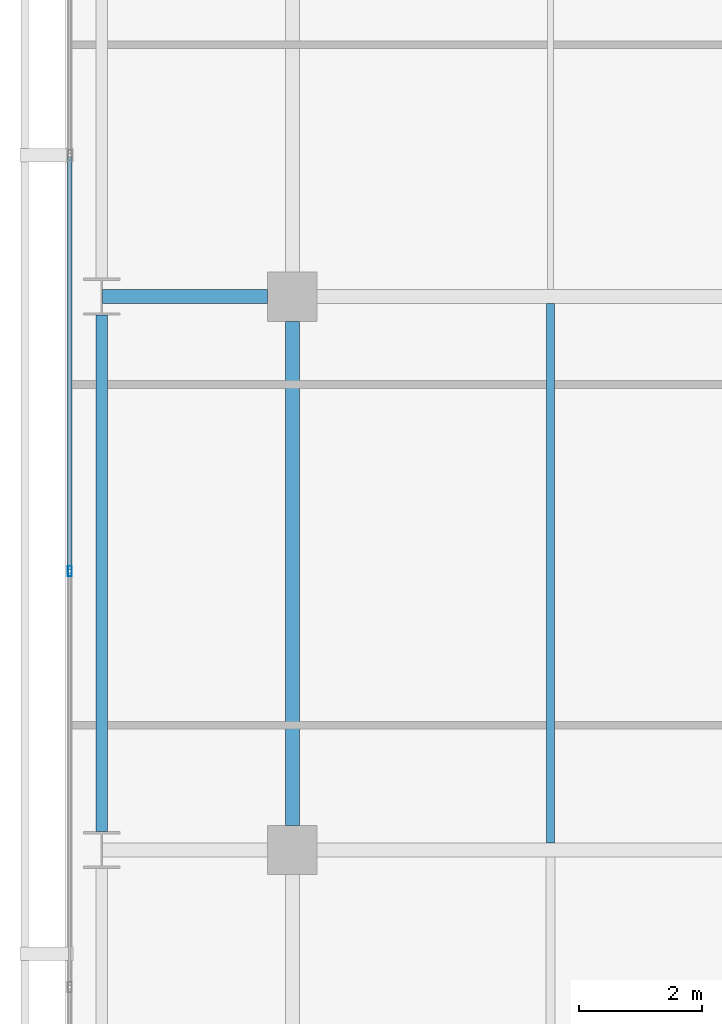
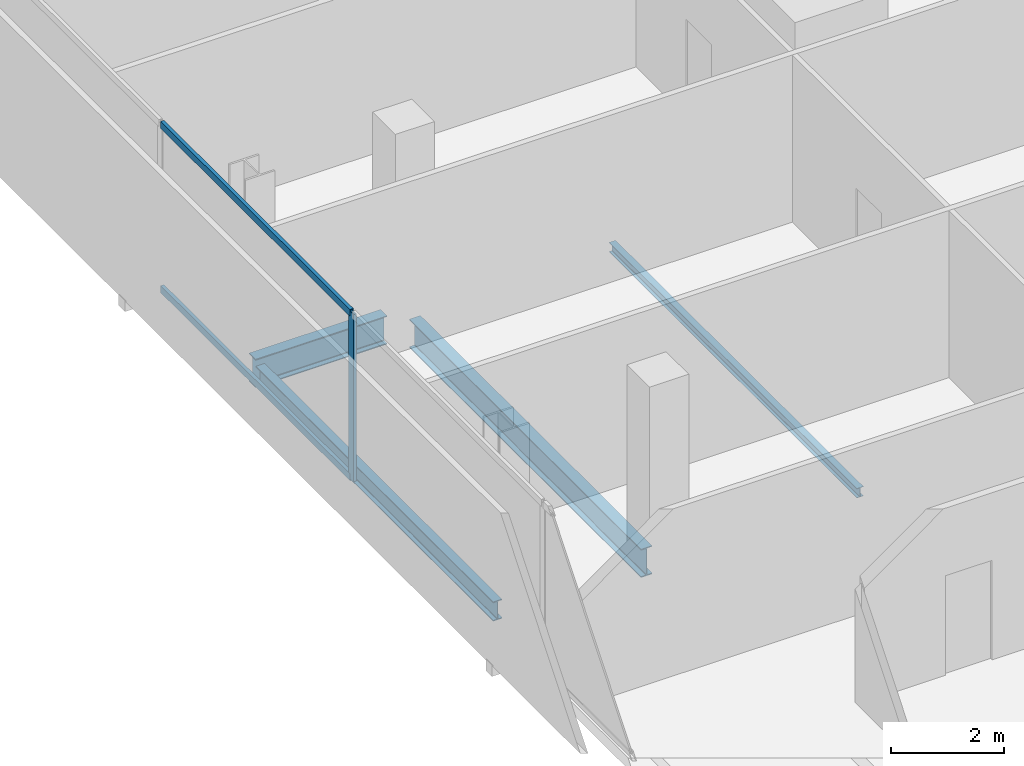
# One storey, part 8 of 33: 4 beams, 3 members, 1 element without a shape of its own.
"""IFC4 building model written with IfcOpenShell, lengths in metres."""

from ifc_helpers import new_model, si_unit, direction, frame, origin, origin_2d, place, context, subcontext, project, spatial, hollow_rectangle, i_section, extrude, material, layer, layer_set, material_profile, profile_set, type_object, element, aggregate, save


model = new_model("IFC4")

# Units and contexts
model_context = context("Model", 3, precision=1e-05, world=origin(), true_north=direction((0.0, 1.0)))
body_context = subcontext(model_context, "Body", "Model", "MODEL_VIEW")
ifc_project = project(units=[si_unit("LENGTHUNIT", "METRE"), si_unit("AREAUNIT", "SQUARE_METRE"), si_unit("VOLUMEUNIT", "CUBIC_METRE"), si_unit("PLANEANGLEUNIT", "RADIAN"), si_unit("MASSUNIT", "GRAM", prefix="KILO")], contexts=[model_context])

# Site, building, storey
site_placement = place(None, origin())
site = spatial("IfcSite", under=ifc_project, at=site_placement, CompositionType="ELEMENT")
building_placement = place(site_placement, origin())
building = spatial("IfcBuilding", under=site, at=building_placement, Name="Maruvema Waterfront Hotel and Observation Tower", CompositionType="ELEMENT")
storey_placement = place(building_placement, frame((0.0, 0.0, 150.5)))
storey = spatial("IfcBuildingStorey", under=building, at=storey_placement, Name="L36", CompositionType="ELEMENT", Elevation=150.5)

# Curtain wall, members
ifc_material_1 = material(Name="Anodised bronze aluminium and solar-control low-E IGU", Category="aluminium")
ifc_layer = layer(ifc_material_1, 0.159912109375, Name="Zone 2 Amber Inner Thermal Curtain Wall System CW-03")
ifc_layer_set = layer_set([ifc_layer], Name="Anodised bronze aluminium and solar-control low-E IGU")
curtain_wall_type = type_object("IfcCurtainWallType", Name="Zone 2 Amber Inner Thermal Curtain Wall System CW-03", PredefinedType="USERDEFINED", material=ifc_layer_set)
curtain_wall_placement = place(storey_placement, origin())
curtain_wall = element("IfcCurtainWall", 1, at=curtain_wall_placement, inside=storey, type_object=curtain_wall_type, Name="L36 Curtain Wall CW-L36-W", ObjectType="UNITISED CURTAIN WALL", PredefinedType="USERDEFINED")
ifc_material_2 = material(Name="Anodised architectural bronze aluminium", Category="aluminium")
ifc_material_profile_1 = material_profile(ifc_material_2, hollow_rectangle(XDim=0.070068359375, YDim=0.14990234375, WallThickness=0.00390625, at=origin_2d()), Name="ALU-T70x150")
ifc_profile_set_1 = profile_set([ifc_material_profile_1], Name="Anodised architectural bronze aluminium")
member_type_1 = type_object("IfcMemberType", Name="Curtain Wall Horizontal Transom ALU-T70x150", PredefinedType="USERDEFINED", material=ifc_profile_set_1)
member_1_placement = place(storey_placement, frame((13.179931640625, 29.27001953125, 0.030029296875), z_axis=(0.0, -1.0, 0.0), x_axis=(1.0, 0.0, 0.0)))
member_1 = element("IfcMember", 2, at=member_1_placement, type_object=member_type_1, Name="CW-03 transom 4.1", ObjectType="TRANSOM", PredefinedType="USERDEFINED", context=body_context, shape_type="SweptSolid", body=[
    extrude(hollow_rectangle(XDim=0.070068359375, YDim=0.14990234375, WallThickness=0.00390625, at=origin_2d()), origin(), (0.0, 0.0, 1.0), 6.706787109375),
])
member_2_placement = place(storey_placement, frame((13.179931640625, 29.27001953125, 3.580078125), z_axis=(0.0, -1.0, 0.0), x_axis=(1.0, 0.0, 0.0)))
member_2 = element("IfcMember", 3, at=member_2_placement, type_object=member_type_1, Name="CW-03 transom 4.2", ObjectType="TRANSOM", PredefinedType="USERDEFINED", context=body_context, shape_type="SweptSolid", body=[
    extrude(hollow_rectangle(XDim=0.070068359375, YDim=0.14990234375, WallThickness=0.00390625, at=origin_2d()), origin(), (0.0, 0.0, 1.0), 6.706787109375),
])
ifc_material_3 = material(Name="Anodised architectural bronze aluminium", Category="aluminium")
ifc_material_profile_2 = material_profile(ifc_material_3, hollow_rectangle(XDim=0.06494140625, YDim=0.1650390625, WallThickness=0.00390625, at=origin_2d()), Name="ALU-M65x165")
ifc_profile_set_2 = profile_set([ifc_material_profile_2], Name="Anodised architectural bronze aluminium")
member_type_2 = type_object("IfcMemberType", Name="Curtain Wall Primary Mullion ALU-M65x165", PredefinedType="MULLION", material=ifc_profile_set_2)
member_3_placement = place(storey_placement, frame((13.179931640625, 22.533447265625, 0.0), z_axis=(0.0, 0.0, 1.0), x_axis=(1.0, 0.0, 0.0)))
member_3 = element("IfcMember", 4, at=member_3_placement, type_object=member_type_2, Name="CW-03 mullion 5", PredefinedType="MULLION", context=body_context, shape_type="SweptSolid", body=[
    extrude(hollow_rectangle(XDim=0.06494140625, YDim=0.1650390625, WallThickness=0.00390625, at=origin_2d()), origin(), (0.0, 0.0, 1.0), 3.610107421875),
])
aggregate(curtain_wall, [member_3, member_1, member_2])

# Beams
ifc_material_4 = material(Name="Steel ASTM A572 Grade 50", Category="steel")
ifc_material_profile_3 = material_profile(ifc_material_4, i_section(OverallWidth=0.180908203125, OverallDepth=0.4169921875, WebThickness=0.010986328125, FlangeThickness=0.018310546875, FilletRadius=0.014892578125, at=origin_2d()), Name="W410x85.0")
ifc_profile_set_3 = profile_set([ifc_material_profile_3], Name="Steel ASTM A572 Grade 50")
beam_type_1 = type_object("IfcBeamType", Name="Perimeter Spandrel Beam W410x85.0", PredefinedType="SPANDREL", material=ifc_profile_set_3)
beam_1_placement = place(storey_placement, frame((13.699951171875, 18.300048828125, -0.448486328125), z_axis=(0.0, 1.0, 0.0), x_axis=(-1.0, 0.0, 0.0)))
element("IfcBeam", 5, at=beam_1_placement, inside=storey, type_object=beam_type_1, Name="L36 Floor Girder NS-02", PredefinedType="SPANDREL", context=body_context, shape_type="SweptSolid", body=[
    extrude(i_section(OverallWidth=0.180908203125, OverallDepth=0.4169921875, WebThickness=0.010986328125, FlangeThickness=0.018310546875, FilletRadius=0.014892578125, at=origin_2d()), origin(), (0.0, 0.0, 1.0), 8.39990234375),
])
ifc_material_5 = material(Name="Steel ASTM A572 Grade 50", Category="steel")
ifc_material_profile_4 = material_profile(ifc_material_5, i_section(OverallWidth=0.22900390625, OverallDepth=0.612060546875, WebThickness=0.011962890625, FlangeThickness=0.01953125, FilletRadius=0.01806640625, at=origin_2d()), Name="W610x125.0")
ifc_profile_set_4 = profile_set([ifc_material_profile_4], Name="Steel ASTM A572 Grade 50")
beam_type_2 = type_object("IfcBeamType", Name="Primary Floor Girder W610x125.0", PredefinedType="BEAM", material=ifc_profile_set_4)
beam_2_placement = place(storey_placement, frame((13.71240234375, 27.0, -0.5458984375), z_axis=(1.0, 0.0, 0.0), x_axis=(0.0, 1.0, 0.0)))
element("IfcBeam", 6, at=beam_2_placement, inside=storey, type_object=beam_type_2, Name="L36 Floor Girder EW-18", PredefinedType="BEAM", context=body_context, shape_type="SweptSolid", body=[
    extrude(i_section(OverallWidth=0.22900390625, OverallDepth=0.612060546875, WebThickness=0.011962890625, FlangeThickness=0.01953125, FilletRadius=0.01806640625, at=origin_2d()), origin(), (0.0, 0.0, 1.0), 2.6875),
])
beam_3_placement = place(storey_placement, frame((16.800048828125, 18.39990234375, -0.5458984375), z_axis=(0.0, 1.0, 0.0), x_axis=(-1.0, 0.0, 0.0)))
element("IfcBeam", 7, at=beam_3_placement, inside=storey, type_object=beam_type_2, Name="L36 Floor Girder NS-06", PredefinedType="BEAM", context=body_context, shape_type="SweptSolid", body=[
    extrude(i_section(OverallWidth=0.22900390625, OverallDepth=0.612060546875, WebThickness=0.011962890625, FlangeThickness=0.01953125, FilletRadius=0.01806640625, at=origin_2d()), origin(), (0.0, 0.0, 1.0), 8.2001953125),
])
ifc_material_6 = material(Name="Steel ASTM A572 Grade 50", Category="steel")
ifc_material_profile_5 = material_profile(ifc_material_6, i_section(OverallWidth=0.133056640625, OverallDepth=0.20703125, WebThickness=0.005859375, FlangeThickness=0.00830078125, FilletRadius=0.010009765625, at=origin_2d()), Name="W200x26.6")
ifc_profile_set_5 = profile_set([ifc_material_profile_5], Name="Steel ASTM A572 Grade 50")
beam_type_3 = type_object("IfcBeamType", Name="Secondary Floor Joist W200x26.6", PredefinedType="JOIST", material=ifc_profile_set_5)
beam_4_placement = place(storey_placement, frame((21.0, 18.114501953125, -0.343505859375), z_axis=(0.0, 1.0, 0.0), x_axis=(-1.0, 0.0, 0.0)))
element("IfcBeam", 8, at=beam_4_placement, inside=storey, type_object=beam_type_3, Name="L36 Secondary Floor Joist JS-02", PredefinedType="JOIST", context=body_context, shape_type="SweptSolid", body=[
    extrude(i_section(OverallWidth=0.133056640625, OverallDepth=0.20703125, WebThickness=0.005859375, FlangeThickness=0.00830078125, FilletRadius=0.010009765625, at=origin_2d()), origin(), (0.0, 0.0, 1.0), 8.77099609375),
])

save(model, "model.ifc")
